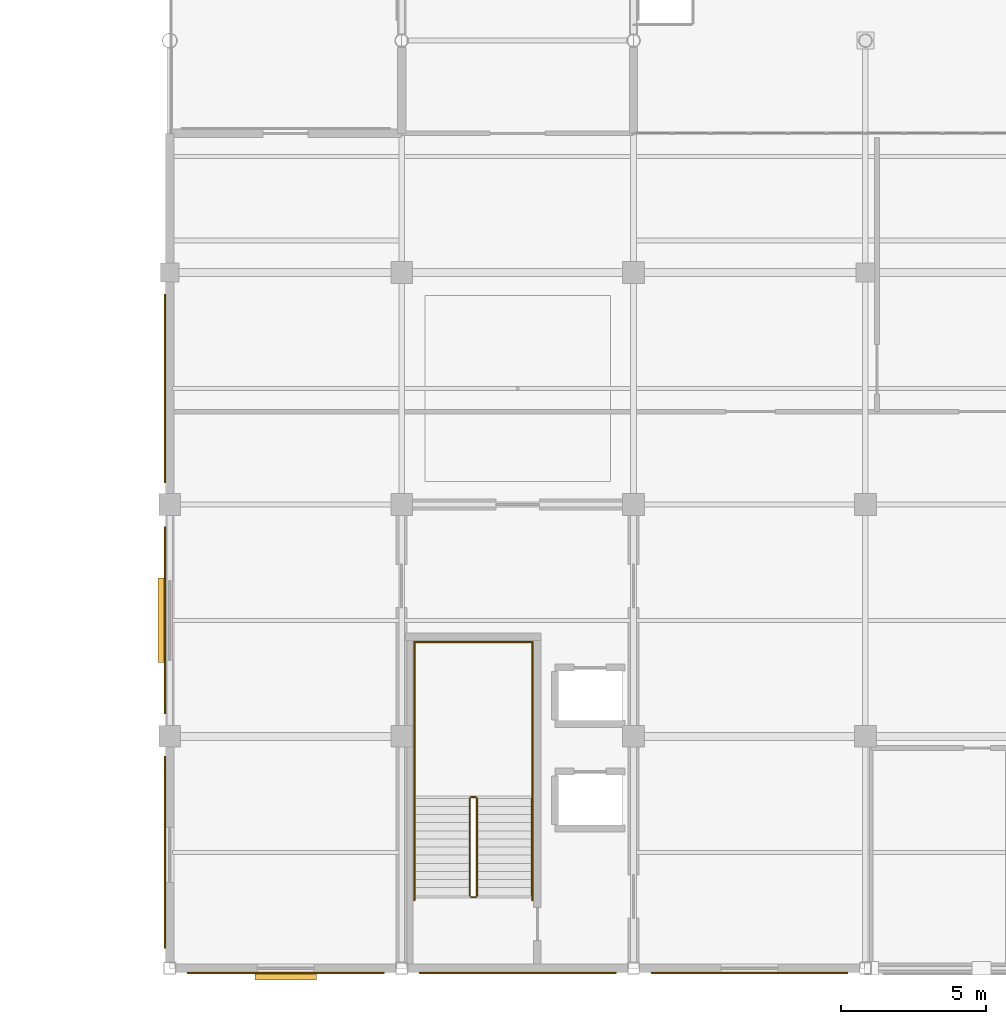
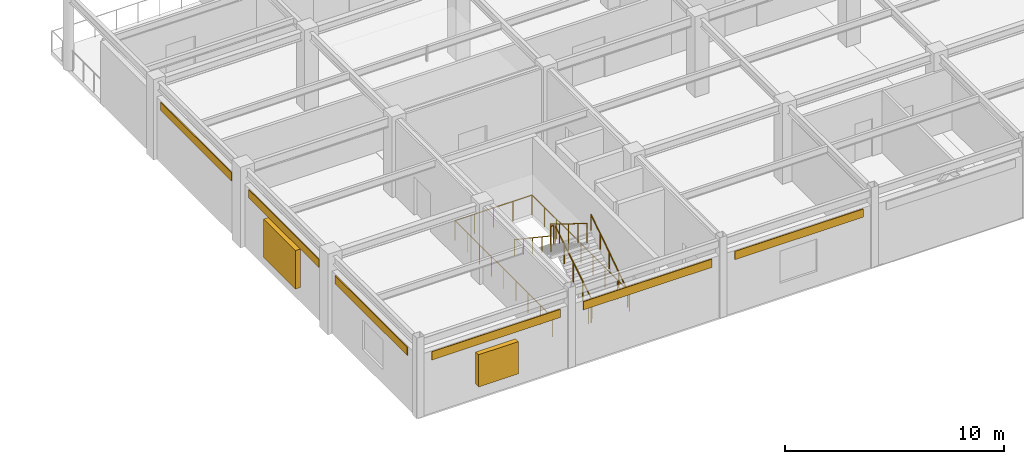
# One storey, part 66 of 75: 9 railings, 6 coverings, 2 shading devices.
"""IFC4 building model written with IfcOpenShell, lengths in metres."""

from ifc_helpers import new_model, si_unit, direction, frame, origin, origin_2d, place, context, subcontext, project, spatial, rectangle, circle, extrude, material, layer, layer_set, type_object, element, save


model = new_model("IFC4")

# Units and contexts
model_context = context("Model", 3, precision=1e-05, world=origin(), true_north=direction((0.0, 1.0)))
body_context = subcontext(model_context, "Body", "Model", "MODEL_VIEW")
ifc_project = project(units=[si_unit("LENGTHUNIT", "METRE"), si_unit("AREAUNIT", "SQUARE_METRE"), si_unit("VOLUMEUNIT", "CUBIC_METRE"), si_unit("PLANEANGLEUNIT", "RADIAN"), si_unit("MASSUNIT", "GRAM", prefix="KILO")], contexts=[model_context])

# Site, building, storey
site_placement = place(None, origin())
site = spatial("IfcSite", under=ifc_project, at=site_placement, CompositionType="ELEMENT")
building_placement = place(site_placement, origin())
building = spatial("IfcBuilding", under=site, at=building_placement, Name="Solmirada Galleria", CompositionType="ELEMENT")
storey_placement = place(building_placement, frame((0.0, 0.0, 19.39990234375)))
storey = spatial("IfcBuildingStorey", under=building, at=storey_placement, Name="L04", CompositionType="ELEMENT", Elevation=19.39990234375)

# Coverings
ifc_material_1 = material(Name="Limestone cladding panels", Category="masonry")
ifc_layer_1 = layer(ifc_material_1, 0.044921875)
ifc_layer_set_1 = layer_set([ifc_layer_1], Name="Limestone cladding panels")
covering_type_1 = type_object("IfcCoveringType", Name="COV-CLAD-LIME", PredefinedType="CLADDING", material=ifc_layer_set_1)
covering_1_placement = place(storey_placement, frame((92.0, -0.16748046875, 2.990234375), z_axis=(0.0, 0.0, 1.0), x_axis=(-1.0, 0.0, 0.0)))
element("IfcCovering", 1, at=covering_1_placement, inside=storey, type_object=covering_type_1, Name="Postmodern facade cladding L04-283", PredefinedType="CLADDING", context=body_context, shape_type="SweptSolid", body=[
    extrude(rectangle(XDim=6.7939453125, YDim=0.044921875, at=origin_2d()), origin(), (0.0, 0.0, 1.0), 0.4599609375),
])
covering_2_placement = place(storey_placement, frame((79.83251953125, 4.0, 2.990234375), z_axis=(0.0, 0.0, 1.0), x_axis=(0.0, 1.0, 0.0)))
element("IfcCovering", 2, at=covering_2_placement, inside=storey, type_object=covering_type_1, Name="Postmodern facade cladding L04-285", PredefinedType="CLADDING", context=body_context, shape_type="SweptSolid", body=[
    extrude(rectangle(XDim=6.6220703125, YDim=0.044921875, at=origin_2d()), origin(), (0.0, 0.0, 1.0), 0.4599609375),
])
covering_3_placement = place(storey_placement, frame((79.83251953125, 20.0, 2.990234375), z_axis=(0.0, 0.0, 1.0), x_axis=(0.0, 1.0, 0.0)))
element("IfcCovering", 3, at=covering_3_placement, inside=storey, type_object=covering_type_1, Name="Postmodern facade cladding L04-287", PredefinedType="CLADDING", context=body_context, shape_type="SweptSolid", body=[
    extrude(rectangle(XDim=6.5, YDim=0.044921875, at=origin_2d()), origin(), (0.0, 0.0, 1.0), 0.4599609375),
])
ifc_material_2 = material(Name="Glazed terracotta facade panels", Category="masonry")
ifc_layer_2 = layer(ifc_material_2, 0.0400390625)
ifc_layer_set_2 = layer_set([ifc_layer_2], Name="Glazed terracotta facade panels")
covering_type_2 = type_object("IfcCoveringType", Name="COV-CLAD-TERRA", PredefinedType="CLADDING", material=ifc_layer_set_2)
for number, where, z_axis, x_axis, name in (
    (4, (100.0, -0.1650390625, 2.990234375), (0.0, 0.0, 1.0), (-1.0, 0.0, 0.0), "Postmodern facade cladding L04-282"),
    (5, (84.0, -0.1650390625, 2.990234375), (0.0, 0.0, 1.0), (-1.0, 0.0, 0.0), "Postmodern facade cladding L04-284"),
):
    element("IfcCovering", number, at=place(storey_placement, frame(where, z_axis=z_axis, x_axis=x_axis)), inside=storey, type_object=covering_type_2, Name=name, PredefinedType="CLADDING", context=body_context, shape_type="SweptSolid", body=[
        extrude(rectangle(XDim=6.7939453125, YDim=0.0400390625, at=origin_2d()), origin(), (0.0, 0.0, 1.0), 0.4599609375),
    ])
covering_4_placement = place(storey_placement, frame((79.8349609375, 12.0, 2.990234375), z_axis=(0.0, 0.0, 1.0), x_axis=(0.0, 1.0, 0.0)))
element("IfcCovering", 6, at=covering_4_placement, inside=storey, type_object=covering_type_2, Name="Postmodern facade cladding L04-286", PredefinedType="CLADDING", context=body_context, shape_type="SweptSolid", body=[
    extrude(rectangle(XDim=6.449951171875, YDim=0.0400390625, at=origin_2d()), origin(), (0.0, 0.0, 1.0), 0.4599609375),
])

# Railings
ifc_material_3 = material(Name="Painted steel tubular railing", Category="steel")
railing_type_1 = type_object("IfcRailingType", Name="RAIL-STAIR-GUARD", PredefinedType="GUARDRAIL", material=ifc_material_3)
railing_1_placement = place(storey_placement, frame((90.60009765625, 2.5, 0.173095703125)))
element("IfcRailing", 7, at=railing_1_placement, inside=storey, type_object=railing_type_1, Name="L04 ST2 stair guard 1", PredefinedType="GUARDRAIL", context=body_context, shape_type="SweptSolid", body=[
    extrude(circle(Radius=0.02392578125, at=origin_2d()), frame((0.0, 0.0, 1.076171875), z_axis=(0.0, 0.850623216509, 0.525775754039), x_axis=(-1.0, 0.0, 0.0)), (0.0, 0.0, 1.0), 3.9501953125),
    extrude(circle(Radius=0.02099609375, at=origin_2d()), origin(), (0.0, 0.0, 1.0), 1.048095703125),
    extrude(circle(Radius=0.02099609375, at=origin_2d()), frame((0.0, 0.840087890625, 0.519287109375)), (0.0, 0.0, 1.0), 1.048095703125),
    extrude(circle(Radius=0.02099609375, at=origin_2d()), frame((0.0, 1.68017578125, 1.03857421875)), (0.0, 0.0, 1.0), 1.048095703125),
    extrude(circle(Radius=0.02099609375, at=origin_2d()), frame((0.0, 2.52001953125, 1.5576171875)), (0.0, 0.0, 1.0), 1.048095703125),
    extrude(circle(Radius=0.02099609375, at=origin_2d()), frame((0.0, 3.360107421875, 2.076904296875)), (0.0, 0.0, 1.0), 1.048095703125),
])
railing_2_placement = place(storey_placement, frame((90.550048828125, 5.909912109375, 2.25)))
element("IfcRailing", 8, at=railing_2_placement, inside=storey, type_object=railing_type_1, Name="L04 ST2 stair guard 2", PredefinedType="GUARDRAIL", context=body_context, shape_type="SweptSolid", body=[
    extrude(circle(Radius=0.02392578125, at=origin_2d()), frame((0.0, 0.0, 1.076171875), z_axis=(-1.0, 0.0, 0.0), x_axis=(0.0, -1.0, 0.0)), (0.0, 0.0, 1.0), 0.150146484375),
    extrude(circle(Radius=0.02099609375, at=origin_2d()), origin(), (0.0, 0.0, 1.0), 1.048095703125),
    extrude(circle(Radius=0.02099609375, at=origin_2d()), frame((-0.150146484375, 0.0, 0.0)), (0.0, 0.0, 1.0), 1.048095703125),
])
railing_3_placement = place(storey_placement, frame((90.35009765625, 5.860107421875, 2.423095703125)))
element("IfcRailing", 9, at=railing_3_placement, inside=storey, type_object=railing_type_1, Name="L04 ST2 stair guard 3", PredefinedType="GUARDRAIL", context=body_context, shape_type="SweptSolid", body=[
    extrude(circle(Radius=0.02392578125, at=origin_2d()), frame((0.0, 0.0, 1.076171875), z_axis=(0.0, -0.850623216509, 0.525775754039), x_axis=(1.0, 0.0, 0.0)), (0.0, 0.0, 1.0), 3.9501953125),
    extrude(circle(Radius=0.02099609375, at=origin_2d()), origin(), (0.0, 0.0, 1.0), 1.048095703125),
    extrude(circle(Radius=0.02099609375, at=origin_2d()), frame((0.0, -0.840087890625, 0.519287109375)), (0.0, 0.0, 1.0), 1.048095703125),
    extrude(circle(Radius=0.02099609375, at=origin_2d()), frame((0.0, -1.68017578125, 1.03857421875)), (0.0, 0.0, 1.0), 1.048095703125),
    extrude(circle(Radius=0.02099609375, at=origin_2d()), frame((0.0, -2.52001953125, 1.5576171875)), (0.0, 0.0, 1.0), 1.048095703125),
    extrude(circle(Radius=0.02099609375, at=origin_2d()), frame((0.0, -3.360107421875, 2.076904296875)), (0.0, 0.0, 1.0), 1.048095703125),
])
railing_4_placement = place(storey_placement, frame((90.550048828125, 2.449951171875, 0.0)))
element("IfcRailing", 10, at=railing_4_placement, inside=storey, type_object=railing_type_1, Name="L04 ST2 stair guard 4", PredefinedType="GUARDRAIL", context=body_context, shape_type="SweptSolid", body=[
    extrude(circle(Radius=0.02392578125, at=origin_2d()), frame((0.0, 0.0, 1.076171875), z_axis=(-1.0, 0.0, 0.0), x_axis=(0.0, -1.0, 0.0)), (0.0, 0.0, 1.0), 0.150146484375),
    extrude(circle(Radius=0.02099609375, at=origin_2d()), origin(), (0.0, 0.0, 1.0), 1.048095703125),
    extrude(circle(Radius=0.02099609375, at=origin_2d()), frame((-0.150146484375, 0.0, 0.0)), (0.0, 0.0, 1.0), 1.048095703125),
])
railing_5_placement = place(storey_placement, frame((88.43994140625, 2.35009765625, 0.0)))
element("IfcRailing", 11, at=railing_5_placement, inside=storey, type_object=railing_type_1, Name="Stair ST2 well edge guard L04-1", PredefinedType="GUARDRAIL", context=body_context, shape_type="SweptSolid", body=[
    extrude(circle(Radius=0.02392578125, at=origin_2d()), frame((0.0, 0.0, 1.09619140625), z_axis=(0.0, 1.0, 0.0), x_axis=(-1.0, 0.0, 0.0)), (0.0, 0.0, 1.0), 8.909912109375),
    extrude(circle(Radius=0.02099609375, at=origin_2d()), origin(), (0.0, 0.0, 1.0), 1.068115234375),
    extrude(circle(Radius=0.02099609375, at=origin_2d()), frame((0.0, 1.11376953125, 0.0)), (0.0, 0.0, 1.0), 1.068115234375),
    extrude(circle(Radius=0.02099609375, at=origin_2d()), frame((0.0, 2.2275390625, 0.0)), (0.0, 0.0, 1.0), 1.068115234375),
    extrude(circle(Radius=0.02099609375, at=origin_2d()), frame((0.0, 3.34130859375, 0.0)), (0.0, 0.0, 1.0), 1.068115234375),
    extrude(circle(Radius=0.02099609375, at=origin_2d()), frame((0.0, 4.455078125, 0.0)), (0.0, 0.0, 1.0), 1.068115234375),
    extrude(circle(Radius=0.02099609375, at=origin_2d()), frame((0.0, 5.568603515625, 0.0)), (0.0, 0.0, 1.0), 1.068115234375),
    extrude(circle(Radius=0.02099609375, at=origin_2d()), frame((0.0, 6.682373046875, 0.0)), (0.0, 0.0, 1.0), 1.068115234375),
    extrude(circle(Radius=0.02099609375, at=origin_2d()), frame((0.0, 7.796142578125, 0.0)), (0.0, 0.0, 1.0), 1.068115234375),
    extrude(circle(Radius=0.02099609375, at=origin_2d()), frame((0.0, 8.909912109375, 0.0)), (0.0, 0.0, 1.0), 1.068115234375),
])
railing_6_placement = place(storey_placement, frame((88.43994140625, 11.260009765625, 0.0)))
element("IfcRailing", 12, at=railing_6_placement, inside=storey, type_object=railing_type_1, Name="Stair ST2 well edge guard L04-2", PredefinedType="GUARDRAIL", context=body_context, shape_type="SweptSolid", body=[
    extrude(circle(Radius=0.02392578125, at=origin_2d()), frame((0.0, 0.0, 1.09619140625), z_axis=(1.0, 0.0, 0.0), x_axis=(0.0, 1.0, 0.0)), (0.0, 0.0, 1.0), 4.070068359375),
    extrude(circle(Radius=0.02099609375, at=origin_2d()), origin(), (0.0, 0.0, 1.0), 1.068115234375),
    extrude(circle(Radius=0.02099609375, at=origin_2d()), frame((1.017578125, 0.0, 0.0)), (0.0, 0.0, 1.0), 1.068115234375),
    extrude(circle(Radius=0.02099609375, at=origin_2d()), frame((2.03515625, 0.0, 0.0)), (0.0, 0.0, 1.0), 1.068115234375),
    extrude(circle(Radius=0.02099609375, at=origin_2d()), frame((3.052490234375, 0.0, 0.0)), (0.0, 0.0, 1.0), 1.068115234375),
    extrude(circle(Radius=0.02099609375, at=origin_2d()), frame((4.070068359375, 0.0, 0.0)), (0.0, 0.0, 1.0), 1.068115234375),
])
railing_7_placement = place(storey_placement, frame((92.510009765625, 11.260009765625, 0.0)))
element("IfcRailing", 13, at=railing_7_placement, inside=storey, type_object=railing_type_1, Name="Stair ST2 well edge guard L04-3", PredefinedType="GUARDRAIL", context=body_context, shape_type="SweptSolid", body=[
    extrude(circle(Radius=0.02392578125, at=origin_2d()), frame((0.0, 0.0, 1.09619140625), z_axis=(0.0, -1.0, 0.0), x_axis=(1.0, 0.0, 0.0)), (0.0, 0.0, 1.0), 8.909912109375),
    extrude(circle(Radius=0.02099609375, at=origin_2d()), origin(), (0.0, 0.0, 1.0), 1.068115234375),
    extrude(circle(Radius=0.02099609375, at=origin_2d()), frame((0.0, -1.11376953125, 0.0)), (0.0, 0.0, 1.0), 1.068115234375),
    extrude(circle(Radius=0.02099609375, at=origin_2d()), frame((0.0, -2.2275390625, 0.0)), (0.0, 0.0, 1.0), 1.068115234375),
    extrude(circle(Radius=0.02099609375, at=origin_2d()), frame((0.0, -3.34130859375, 0.0)), (0.0, 0.0, 1.0), 1.068115234375),
    extrude(circle(Radius=0.02099609375, at=origin_2d()), frame((0.0, -4.455078125, 0.0)), (0.0, 0.0, 1.0), 1.068115234375),
    extrude(circle(Radius=0.02099609375, at=origin_2d()), frame((0.0, -5.568603515625, 0.0)), (0.0, 0.0, 1.0), 1.068115234375),
    extrude(circle(Radius=0.02099609375, at=origin_2d()), frame((0.0, -6.682373046875, 0.0)), (0.0, 0.0, 1.0), 1.068115234375),
    extrude(circle(Radius=0.02099609375, at=origin_2d()), frame((0.0, -7.796142578125, 0.0)), (0.0, 0.0, 1.0), 1.068115234375),
    extrude(circle(Radius=0.02099609375, at=origin_2d()), frame((0.0, -8.909912109375, 0.0)), (0.0, 0.0, 1.0), 1.068115234375),
])
railing_type_2 = type_object("IfcRailingType", Name="RAIL-STAIR-HAND", PredefinedType="HANDRAIL", material=ifc_material_3)
railing_8_placement = place(storey_placement, frame((92.5, 2.5, 0.173095703125)))
element("IfcRailing", 14, at=railing_8_placement, inside=storey, type_object=railing_type_2, Name="L04 ST2 stair handrail 1", PredefinedType="HANDRAIL", context=body_context, shape_type="SweptSolid", body=[
    extrude(circle(Radius=0.02392578125, at=origin_2d()), frame((0.0, 0.0, 0.8759765625), z_axis=(0.0, 0.830915400975, 0.556398774641), x_axis=(-1.0, 0.0, 0.0)), (0.0, 0.0, 1.0), 4.0439453125),
    extrude(circle(Radius=0.02099609375, at=origin_2d()), origin(), (0.0, 0.0, 1.0), 0.847900390625),
    extrude(circle(Radius=0.02099609375, at=origin_2d()), frame((0.0, 0.840087890625, 0.5625)), (0.0, 0.0, 1.0), 0.847900390625),
    extrude(circle(Radius=0.02099609375, at=origin_2d()), frame((0.0, 1.68017578125, 1.125)), (0.0, 0.0, 1.0), 0.847900390625),
    extrude(circle(Radius=0.02099609375, at=origin_2d()), frame((0.0, 2.52001953125, 1.6875)), (0.0, 0.0, 1.0), 0.847900390625),
    extrude(circle(Radius=0.02099609375, at=origin_2d()), frame((0.0, 3.360107421875, 2.25)), (0.0, 0.0, 1.0), 0.847900390625),
])
railing_9_placement = place(storey_placement, frame((88.449951171875, 5.860107421875, 2.423095703125)))
element("IfcRailing", 15, at=railing_9_placement, inside=storey, type_object=railing_type_2, Name="L04 ST2 stair handrail 2", PredefinedType="HANDRAIL", context=body_context, shape_type="SweptSolid", body=[
    extrude(circle(Radius=0.02392578125, at=origin_2d()), frame((0.0, 0.0, 0.8759765625), z_axis=(0.0, -0.830915400975, 0.556398774641), x_axis=(1.0, 0.0, 0.0)), (0.0, 0.0, 1.0), 4.0439453125),
    extrude(circle(Radius=0.02099609375, at=origin_2d()), origin(), (0.0, 0.0, 1.0), 0.847900390625),
    extrude(circle(Radius=0.02099609375, at=origin_2d()), frame((0.0, -0.840087890625, 0.5625)), (0.0, 0.0, 1.0), 0.847900390625),
    extrude(circle(Radius=0.02099609375, at=origin_2d()), frame((0.0, -1.68017578125, 1.125)), (0.0, 0.0, 1.0), 0.847900390625),
    extrude(circle(Radius=0.02099609375, at=origin_2d()), frame((0.0, -2.52001953125, 1.6875)), (0.0, 0.0, 1.0), 0.847900390625),
    extrude(circle(Radius=0.02099609375, at=origin_2d()), frame((0.0, -3.360107421875, 2.25)), (0.0, 0.0, 1.0), 0.847900390625),
])

# Shading devices
ifc_material_4 = material(Name="Extruded aluminium storm louvres", Category="aluminium")
shading_device_type = type_object("IfcShadingDeviceType", Name="SHD-JALOUSIE", PredefinedType="JALOUSIE", material=ifc_material_4)
shading_device_1_placement = place(storey_placement, frame((84.0, -0.27490234375, 0.80029296875), z_axis=(0.0, 0.0, 1.0), x_axis=(-1.0, 0.0, 0.0)))
element("IfcShadingDevice", 16, at=shading_device_1_placement, inside=storey, type_object=shading_device_type, Name="Hurricane storm jalousie louvre 087", PredefinedType="JALOUSIE", context=body_context, shape_type="SweptSolid", body=[
    extrude(rectangle(XDim=2.110107421875, YDim=0.260009765625, at=origin_2d()), origin(), (0.0, 0.0, 1.0), 1.800048828125),
])
shading_device_2_placement = place(storey_placement, frame((79.72509765625, 12.0, 0.800048828125), z_axis=(0.0, 0.0, 1.0), x_axis=(0.0, 1.0, 0.0)))
element("IfcShadingDevice", 17, at=shading_device_2_placement, inside=storey, type_object=shading_device_type, Name="Hurricane storm jalousie louvre 088", PredefinedType="JALOUSIE", context=body_context, shape_type="SweptSolid", body=[
    extrude(rectangle(XDim=2.909912109375, YDim=0.260009765625, at=origin_2d()), origin(), (0.0, 0.0, 1.0), 2.14990234375),
])

save(model, "model.ifc")
